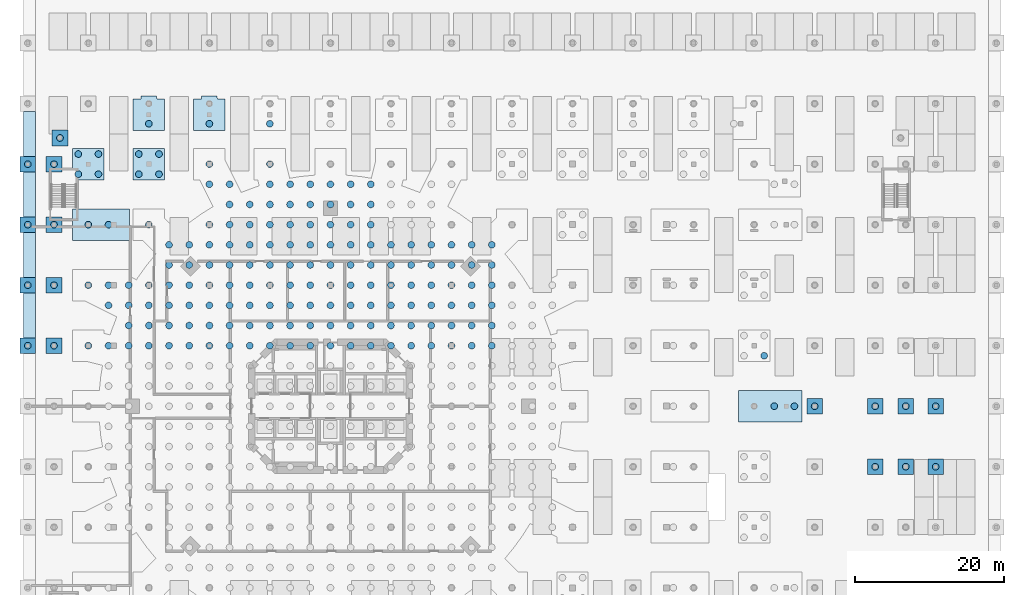
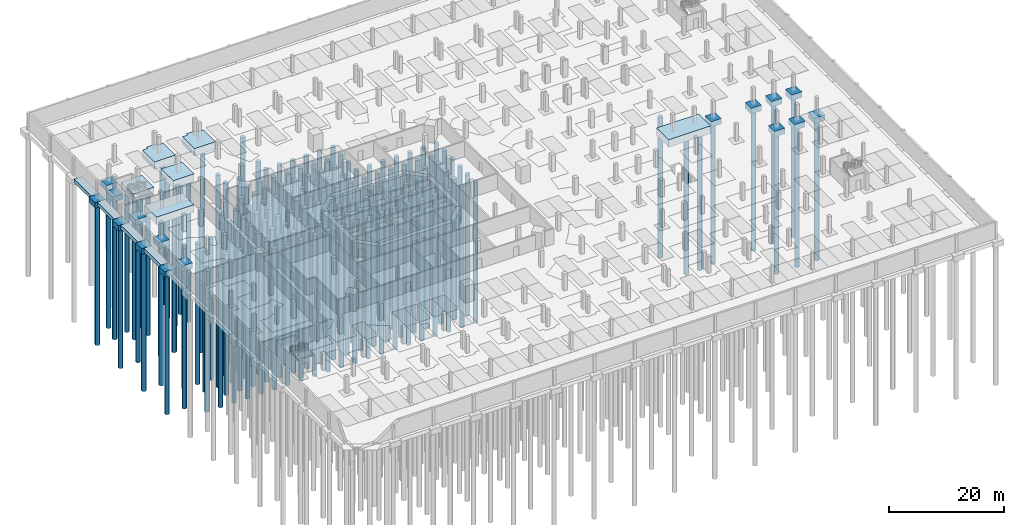
# One storey, part 5 of 23: 175 piles, 26 footings.
"""IFC4 building model written with IfcOpenShell, lengths in metres."""

from ifc_helpers import new_model, si_unit, direction, frame, origin, origin_2d, place, context, subcontext, project, spatial, polyline, rectangle, circle, outline, extrude, material, material_profile, profile_set, type_object, element, save


model = new_model("IFC4")

# Units and contexts
model_context = context("Model", 3, precision=1e-05, world=origin(), true_north=direction((0.0, 1.0)))
body_context = subcontext(model_context, "Body", "Model", "MODEL_VIEW")
ifc_project = project(units=[si_unit("LENGTHUNIT", "METRE"), si_unit("AREAUNIT", "SQUARE_METRE"), si_unit("VOLUMEUNIT", "CUBIC_METRE"), si_unit("PLANEANGLEUNIT", "RADIAN"), si_unit("MASSUNIT", "GRAM", prefix="KILO")], contexts=[model_context])

# Site, building, storey
site_placement = place(None, origin())
site = spatial("IfcSite", under=ifc_project, at=site_placement, CompositionType="ELEMENT")
building_placement = place(site_placement, origin())
building = spatial("IfcBuilding", under=site, at=building_placement, Name="Torre Triforio", CompositionType="ELEMENT")
storey_placement = place(building_placement, frame((0.0, 0.0, -10.800048828125)))
storey = spatial("IfcBuildingStorey", under=building, at=storey_placement, Name="B3", CompositionType="ELEMENT", Elevation=-10.800048828125)

# Piles
ifc_material_1 = material(Name="Concrete C35", Category="concrete")
ifc_material_profile = material_profile(ifc_material_1, circle(Radius=0.449951171875, at=origin_2d()), Name="RC D900")
ifc_profile_set = profile_set([ifc_material_profile], Name="Concrete C35")
pile_type = type_object("IfcPileType", Name="Bored pile D900 C35", PredefinedType="BORED", material=ifc_profile_set)
for number, where, z_axis, x_axis, name in (
    (1, (-32.39990234375, 8.10009765625, -3.39990234375), (0.0, 0.0, -1.0), (1.0, 0.0, 0.0), "PL.RAFT.004"),
    (2, (-32.39990234375, 16.199951171875, -3.39990234375), (0.0, 0.0, -1.0), (1.0, 0.0, 0.0), "PL.RAFT.005"),
    (3, (-29.699951171875, 8.10009765625, -3.39990234375), (0.0, 0.0, -1.0), (1.0, 0.0, 0.0), "PL.RAFT.014"),
    (4, (-29.699951171875, 13.5, -3.39990234375), (0.0, 0.0, -1.0), (1.0, 0.0, 0.0), "PL.RAFT.015"),
    (5, (-29.699951171875, 16.199951171875, -3.39990234375), (0.0, 0.0, -1.0), (1.0, 0.0, 0.0), "PL.RAFT.016"),
    (6, (-27.0, 8.10009765625, -3.39990234375), (0.0, 0.0, -1.0), (1.0, 0.0, 0.0), "PL.RAFT.026"),
    (7, (-27.0, 10.800048828125, -3.39990234375), (0.0, 0.0, -1.0), (1.0, 0.0, 0.0), "PL.RAFT.027"),
    (8, (-27.0, 13.5, -3.39990234375), (0.0, 0.0, -1.0), (1.0, 0.0, 0.0), "PL.RAFT.028"),
    (9, (-27.0, 16.199951171875, -3.39990234375), (0.0, 0.0, -1.0), (1.0, 0.0, 0.0), "PL.RAFT.029"),
    (10, (-24.300048828125, 8.10009765625, -3.39990234375), (0.0, 0.0, -1.0), (1.0, 0.0, 0.0), "PL.RAFT.040"),
    (11, (-24.300048828125, 10.800048828125, -3.39990234375), (0.0, 0.0, -1.0), (1.0, 0.0, 0.0), "PL.RAFT.041"),
    (12, (-24.300048828125, 13.5, -3.39990234375), (0.0, 0.0, -1.0), (1.0, 0.0, 0.0), "PL.RAFT.042"),
    (13, (-24.300048828125, 16.199951171875, -3.39990234375), (0.0, 0.0, -1.0), (1.0, 0.0, 0.0), "PL.RAFT.043"),
    (14, (-24.300048828125, 24.300048828125, -3.39990234375), (0.0, 0.0, -1.0), (1.0, 0.0, 0.0), "PL.RAFT.044"),
    (15, (-21.60009765625, 8.10009765625, -3.39990234375), (0.0, 0.0, -1.0), (1.0, 0.0, 0.0), "PL.RAFT.056"),
    (16, (-21.60009765625, 10.800048828125, -3.39990234375), (0.0, 0.0, -1.0), (1.0, 0.0, 0.0), "PL.RAFT.057"),
    (17, (-21.60009765625, 13.5, -3.39990234375), (0.0, 0.0, -1.0), (1.0, 0.0, 0.0), "PL.RAFT.058"),
    (18, (-21.60009765625, 16.199951171875, -3.39990234375), (0.0, 0.0, -1.0), (1.0, 0.0, 0.0), "PL.RAFT.059"),
    (19, (-21.60009765625, 18.89990234375, -3.39990234375), (0.0, 0.0, -1.0), (1.0, 0.0, 0.0), "PL.RAFT.060"),
    (20, (-21.60009765625, 21.60009765625, -3.39990234375), (0.0, 0.0, -1.0), (1.0, 0.0, 0.0), "PL.RAFT.061"),
    (21, (-18.89990234375, 8.10009765625, -3.39990234375), (0.0, 0.0, -1.0), (1.0, 0.0, 0.0), "PL.RAFT.073"),
    (22, (-18.89990234375, 10.800048828125, -3.39990234375), (0.0, 0.0, -1.0), (1.0, 0.0, 0.0), "PL.RAFT.074"),
    (23, (-18.89990234375, 13.5, -3.39990234375), (0.0, 0.0, -1.0), (1.0, 0.0, 0.0), "PL.RAFT.075"),
    (24, (-18.89990234375, 16.199951171875, -3.39990234375), (0.0, 0.0, -1.0), (1.0, 0.0, 0.0), "PL.RAFT.076"),
    (25, (-18.89990234375, 18.89990234375, -3.39990234375), (0.0, 0.0, -1.0), (1.0, 0.0, 0.0), "PL.RAFT.077"),
    (26, (-18.89990234375, 21.60009765625, -3.39990234375), (0.0, 0.0, -1.0), (1.0, 0.0, 0.0), "PL.RAFT.078"),
    (27, (-16.199951171875, 8.10009765625, -3.39990234375), (0.0, 0.0, -1.0), (1.0, 0.0, 0.0), "PL.RAFT.093"),
    (28, (-16.199951171875, 10.800048828125, -3.39990234375), (0.0, 0.0, -1.0), (1.0, 0.0, 0.0), "PL.RAFT.094"),
    (29, (-16.199951171875, 13.5, -3.39990234375), (0.0, 0.0, -1.0), (1.0, 0.0, 0.0), "PL.RAFT.095"),
    (30, (-16.199951171875, 16.199951171875, -3.39990234375), (0.0, 0.0, -1.0), (1.0, 0.0, 0.0), "PL.RAFT.096"),
    (31, (-16.199951171875, 18.89990234375, -3.39990234375), (0.0, 0.0, -1.0), (1.0, 0.0, 0.0), "PL.RAFT.097"),
    (32, (-16.199951171875, 21.60009765625, -3.39990234375), (0.0, 0.0, -1.0), (1.0, 0.0, 0.0), "PL.RAFT.098"),
    (33, (-16.199951171875, 24.300048828125, -3.39990234375), (0.0, 0.0, -1.0), (1.0, 0.0, 0.0), "PL.RAFT.099"),
    (34, (-16.199951171875, 29.699951171875, -3.39990234375), (0.0, 0.0, -1.0), (1.0, 0.0, 0.0), "PL.RAFT.100"),
    (35, (-16.199951171875, 32.39990234375, -3.39990234375), (0.0, 0.0, -1.0), (1.0, 0.0, 0.0), "PL.RAFT.101"),
    (36, (-13.5, 8.10009765625, -3.39990234375), (0.0, 0.0, -1.0), (1.0, 0.0, 0.0), "PL.RAFT.116"),
    (37, (-13.5, 10.800048828125, -3.39990234375), (0.0, 0.0, -1.0), (1.0, 0.0, 0.0), "PL.RAFT.117"),
    (38, (-13.5, 13.5, -3.39990234375), (0.0, 0.0, -1.0), (1.0, 0.0, 0.0), "PL.RAFT.118"),
    (39, (-13.5, 16.199951171875, -3.39990234375), (0.0, 0.0, -1.0), (1.0, 0.0, 0.0), "PL.RAFT.119"),
    (40, (-13.5, 18.89990234375, -3.39990234375), (0.0, 0.0, -1.0), (1.0, 0.0, 0.0), "PL.RAFT.120"),
    (41, (-13.5, 21.60009765625, -3.39990234375), (0.0, 0.0, -1.0), (1.0, 0.0, 0.0), "PL.RAFT.121"),
    (42, (-13.5, 24.300048828125, -3.39990234375), (0.0, 0.0, -1.0), (1.0, 0.0, 0.0), "PL.RAFT.122"),
    (43, (-13.5, 27.0, -3.39990234375), (0.0, 0.0, -1.0), (1.0, 0.0, 0.0), "PL.RAFT.123"),
    (44, (-13.5, 29.699951171875, -3.39990234375), (0.0, 0.0, -1.0), (1.0, 0.0, 0.0), "PL.RAFT.124"),
    (45, (-10.800048828125, 8.10009765625, -3.39990234375), (0.0, 0.0, -1.0), (1.0, 0.0, 0.0), "PL.RAFT.138"),
    (46, (-10.800048828125, 10.800048828125, -3.39990234375), (0.0, 0.0, -1.0), (1.0, 0.0, 0.0), "PL.RAFT.139"),
    (47, (-10.800048828125, 13.5, -3.39990234375), (0.0, 0.0, -1.0), (1.0, 0.0, 0.0), "PL.RAFT.140"),
    (48, (-10.800048828125, 16.199951171875, -3.39990234375), (0.0, 0.0, -1.0), (1.0, 0.0, 0.0), "PL.RAFT.141"),
    (49, (-10.800048828125, 18.89990234375, -3.39990234375), (0.0, 0.0, -1.0), (1.0, 0.0, 0.0), "PL.RAFT.142"),
    (50, (-10.800048828125, 21.60009765625, -3.39990234375), (0.0, 0.0, -1.0), (1.0, 0.0, 0.0), "PL.RAFT.143"),
    (51, (-10.800048828125, 24.300048828125, -3.39990234375), (0.0, 0.0, -1.0), (1.0, 0.0, 0.0), "PL.RAFT.144"),
    (52, (-10.800048828125, 27.0, -3.39990234375), (0.0, 0.0, -1.0), (1.0, 0.0, 0.0), "PL.RAFT.145"),
    (53, (-8.10009765625, 8.10009765625, -3.39990234375), (0.0, 0.0, -1.0), (1.0, 0.0, 0.0), "PL.RAFT.161"),
    (54, (-8.10009765625, 10.800048828125, -3.39990234375), (0.0, 0.0, -1.0), (1.0, 0.0, 0.0), "PL.RAFT.162"),
    (55, (-8.10009765625, 13.5, -3.39990234375), (0.0, 0.0, -1.0), (1.0, 0.0, 0.0), "PL.RAFT.163"),
    (56, (-8.10009765625, 16.199951171875, -3.39990234375), (0.0, 0.0, -1.0), (1.0, 0.0, 0.0), "PL.RAFT.164"),
    (57, (-8.10009765625, 18.89990234375, -3.39990234375), (0.0, 0.0, -1.0), (1.0, 0.0, 0.0), "PL.RAFT.165"),
    (58, (-8.10009765625, 21.60009765625, -3.39990234375), (0.0, 0.0, -1.0), (1.0, 0.0, 0.0), "PL.RAFT.166"),
    (59, (-8.10009765625, 24.300048828125, -3.39990234375), (0.0, 0.0, -1.0), (1.0, 0.0, 0.0), "PL.RAFT.167"),
    (60, (-8.10009765625, 27.0, -3.39990234375), (0.0, 0.0, -1.0), (1.0, 0.0, 0.0), "PL.RAFT.168"),
    (61, (-8.10009765625, 29.699951171875, -3.39990234375), (0.0, 0.0, -1.0), (1.0, 0.0, 0.0), "PL.RAFT.169"),
    (62, (-8.10009765625, 32.39990234375, -3.39990234375), (0.0, 0.0, -1.0), (1.0, 0.0, 0.0), "PL.RAFT.170"),
    (63, (-5.39990234375, 8.10009765625, -3.39990234375), (0.0, 0.0, -1.0), (1.0, 0.0, 0.0), "PL.RAFT.185"),
    (64, (-5.39990234375, 10.800048828125, -3.39990234375), (0.0, 0.0, -1.0), (1.0, 0.0, 0.0), "PL.RAFT.186"),
    (65, (-5.39990234375, 13.5, -3.39990234375), (0.0, 0.0, -1.0), (1.0, 0.0, 0.0), "PL.RAFT.187"),
    (66, (-5.39990234375, 16.199951171875, -3.39990234375), (0.0, 0.0, -1.0), (1.0, 0.0, 0.0), "PL.RAFT.188"),
    (67, (-5.39990234375, 18.89990234375, -3.39990234375), (0.0, 0.0, -1.0), (1.0, 0.0, 0.0), "PL.RAFT.189"),
    (68, (-5.39990234375, 21.60009765625, -3.39990234375), (0.0, 0.0, -1.0), (1.0, 0.0, 0.0), "PL.RAFT.190"),
    (69, (-5.39990234375, 24.300048828125, -3.39990234375), (0.0, 0.0, -1.0), (1.0, 0.0, 0.0), "PL.RAFT.191"),
    (70, (-5.39990234375, 27.0, -3.39990234375), (0.0, 0.0, -1.0), (1.0, 0.0, 0.0), "PL.RAFT.192"),
    (71, (-5.39990234375, 29.699951171875, -3.39990234375), (0.0, 0.0, -1.0), (1.0, 0.0, 0.0), "PL.RAFT.193"),
    (72, (-2.699951171875, 8.10009765625, -3.39990234375), (0.0, 0.0, -1.0), (1.0, 0.0, 0.0), "PL.RAFT.208"),
    (73, (-2.699951171875, 10.800048828125, -3.39990234375), (0.0, 0.0, -1.0), (1.0, 0.0, 0.0), "PL.RAFT.209"),
    (74, (-2.699951171875, 13.5, -3.39990234375), (0.0, 0.0, -1.0), (1.0, 0.0, 0.0), "PL.RAFT.210"),
    (75, (-2.699951171875, 16.199951171875, -3.39990234375), (0.0, 0.0, -1.0), (1.0, 0.0, 0.0), "PL.RAFT.211"),
    (76, (-2.699951171875, 18.89990234375, -3.39990234375), (0.0, 0.0, -1.0), (1.0, 0.0, 0.0), "PL.RAFT.212"),
    (77, (-2.699951171875, 21.60009765625, -3.39990234375), (0.0, 0.0, -1.0), (1.0, 0.0, 0.0), "PL.RAFT.213"),
    (78, (-2.699951171875, 24.300048828125, -3.39990234375), (0.0, 0.0, -1.0), (1.0, 0.0, 0.0), "PL.RAFT.214"),
    (79, (-2.699951171875, 27.0, -3.39990234375), (0.0, 0.0, -1.0), (1.0, 0.0, 0.0), "PL.RAFT.215"),
    (80, (-2.699951171875, 29.699951171875, -3.39990234375), (0.0, 0.0, -1.0), (1.0, 0.0, 0.0), "PL.RAFT.216"),
    (81, (0.0, 8.10009765625, -3.39990234375), (0.0, 0.0, -1.0), (1.0, 0.0, 0.0), "PL.RAFT.232"),
    (82, (0.0, 10.800048828125, -3.39990234375), (0.0, 0.0, -1.0), (1.0, 0.0, 0.0), "PL.RAFT.233"),
    (83, (0.0, 13.5, -3.39990234375), (0.0, 0.0, -1.0), (1.0, 0.0, 0.0), "PL.RAFT.234"),
    (84, (0.0, 16.199951171875, -3.39990234375), (0.0, 0.0, -1.0), (1.0, 0.0, 0.0), "PL.RAFT.235"),
    (85, (0.0, 18.89990234375, -3.39990234375), (0.0, 0.0, -1.0), (1.0, 0.0, 0.0), "PL.RAFT.236"),
    (86, (0.0, 21.60009765625, -3.39990234375), (0.0, 0.0, -1.0), (1.0, 0.0, 0.0), "PL.RAFT.237"),
    (87, (0.0, 24.300048828125, -3.39990234375), (0.0, 0.0, -1.0), (1.0, 0.0, 0.0), "PL.RAFT.238"),
    (88, (0.0, 27.0, -3.39990234375), (0.0, 0.0, -1.0), (1.0, 0.0, 0.0), "PL.RAFT.239"),
    (89, (0.0, 29.699951171875, -3.39990234375), (0.0, 0.0, -1.0), (1.0, 0.0, 0.0), "PL.RAFT.240"),
    (90, (2.699951171875, 8.10009765625, -3.39990234375), (0.0, 0.0, -1.0), (1.0, 0.0, 0.0), "PL.RAFT.256"),
    (91, (2.699951171875, 10.800048828125, -3.39990234375), (0.0, 0.0, -1.0), (1.0, 0.0, 0.0), "PL.RAFT.257"),
    (92, (2.699951171875, 13.5, -3.39990234375), (0.0, 0.0, -1.0), (1.0, 0.0, 0.0), "PL.RAFT.258"),
    (93, (2.699951171875, 16.199951171875, -3.39990234375), (0.0, 0.0, -1.0), (1.0, 0.0, 0.0), "PL.RAFT.259"),
    (94, (2.699951171875, 18.89990234375, -3.39990234375), (0.0, 0.0, -1.0), (1.0, 0.0, 0.0), "PL.RAFT.260"),
    (95, (2.699951171875, 21.60009765625, -3.39990234375), (0.0, 0.0, -1.0), (1.0, 0.0, 0.0), "PL.RAFT.261"),
    (96, (2.699951171875, 24.300048828125, -3.39990234375), (0.0, 0.0, -1.0), (1.0, 0.0, 0.0), "PL.RAFT.262"),
    (97, (2.699951171875, 27.0, -3.39990234375), (0.0, 0.0, -1.0), (1.0, 0.0, 0.0), "PL.RAFT.263"),
    (98, (2.699951171875, 29.699951171875, -3.39990234375), (0.0, 0.0, -1.0), (1.0, 0.0, 0.0), "PL.RAFT.264"),
    (99, (5.39990234375, 8.10009765625, -3.39990234375), (0.0, 0.0, -1.0), (1.0, 0.0, 0.0), "PL.RAFT.279"),
    (100, (5.39990234375, 10.800048828125, -3.39990234375), (0.0, 0.0, -1.0), (1.0, 0.0, 0.0), "PL.RAFT.280"),
    (101, (5.39990234375, 13.5, -3.39990234375), (0.0, 0.0, -1.0), (1.0, 0.0, 0.0), "PL.RAFT.281"),
    (102, (5.39990234375, 16.199951171875, -3.39990234375), (0.0, 0.0, -1.0), (1.0, 0.0, 0.0), "PL.RAFT.282"),
    (103, (5.39990234375, 18.89990234375, -3.39990234375), (0.0, 0.0, -1.0), (1.0, 0.0, 0.0), "PL.RAFT.283"),
    (104, (5.39990234375, 21.60009765625, -3.39990234375), (0.0, 0.0, -1.0), (1.0, 0.0, 0.0), "PL.RAFT.284"),
    (105, (5.39990234375, 24.300048828125, -3.39990234375), (0.0, 0.0, -1.0), (1.0, 0.0, 0.0), "PL.RAFT.285"),
    (106, (5.39990234375, 27.0, -3.39990234375), (0.0, 0.0, -1.0), (1.0, 0.0, 0.0), "PL.RAFT.286"),
    (107, (5.39990234375, 29.699951171875, -3.39990234375), (0.0, 0.0, -1.0), (1.0, 0.0, 0.0), "PL.RAFT.287"),
    (108, (8.10009765625, 8.10009765625, -3.39990234375), (0.0, 0.0, -1.0), (1.0, 0.0, 0.0), "PL.RAFT.303"),
    (109, (8.10009765625, 10.800048828125, -3.39990234375), (0.0, 0.0, -1.0), (1.0, 0.0, 0.0), "PL.RAFT.304"),
    (110, (8.10009765625, 13.5, -3.39990234375), (0.0, 0.0, -1.0), (1.0, 0.0, 0.0), "PL.RAFT.305"),
    (111, (8.10009765625, 16.199951171875, -3.39990234375), (0.0, 0.0, -1.0), (1.0, 0.0, 0.0), "PL.RAFT.306"),
    (112, (8.10009765625, 18.89990234375, -3.39990234375), (0.0, 0.0, -1.0), (1.0, 0.0, 0.0), "PL.RAFT.307"),
    (113, (8.10009765625, 21.60009765625, -3.39990234375), (0.0, 0.0, -1.0), (1.0, 0.0, 0.0), "PL.RAFT.308"),
    (114, (10.800048828125, 8.10009765625, -3.39990234375), (0.0, 0.0, -1.0), (1.0, 0.0, 0.0), "PL.RAFT.326"),
    (115, (10.800048828125, 10.800048828125, -3.39990234375), (0.0, 0.0, -1.0), (1.0, 0.0, 0.0), "PL.RAFT.327"),
    (116, (10.800048828125, 13.5, -3.39990234375), (0.0, 0.0, -1.0), (1.0, 0.0, 0.0), "PL.RAFT.328"),
    (117, (10.800048828125, 16.199951171875, -3.39990234375), (0.0, 0.0, -1.0), (1.0, 0.0, 0.0), "PL.RAFT.329"),
    (118, (10.800048828125, 18.89990234375, -3.39990234375), (0.0, 0.0, -1.0), (1.0, 0.0, 0.0), "PL.RAFT.330"),
    (119, (10.800048828125, 21.60009765625, -3.39990234375), (0.0, 0.0, -1.0), (1.0, 0.0, 0.0), "PL.RAFT.331"),
    (120, (13.5, 8.10009765625, -3.39990234375), (0.0, 0.0, -1.0), (1.0, 0.0, 0.0), "PL.RAFT.348"),
    (121, (13.5, 10.800048828125, -3.39990234375), (0.0, 0.0, -1.0), (1.0, 0.0, 0.0), "PL.RAFT.349"),
    (122, (13.5, 13.5, -3.39990234375), (0.0, 0.0, -1.0), (1.0, 0.0, 0.0), "PL.RAFT.350"),
    (123, (13.5, 16.199951171875, -3.39990234375), (0.0, 0.0, -1.0), (1.0, 0.0, 0.0), "PL.RAFT.351"),
    (124, (13.5, 18.89990234375, -3.39990234375), (0.0, 0.0, -1.0), (1.0, 0.0, 0.0), "PL.RAFT.352"),
    (125, (13.5, 21.60009765625, -3.39990234375), (0.0, 0.0, -1.0), (1.0, 0.0, 0.0), "PL.RAFT.353"),
    (126, (16.199951171875, 8.10009765625, -3.39990234375), (0.0, 0.0, -1.0), (1.0, 0.0, 0.0), "PL.RAFT.371"),
    (127, (16.199951171875, 10.800048828125, -3.39990234375), (0.0, 0.0, -1.0), (1.0, 0.0, 0.0), "PL.RAFT.372"),
    (128, (16.199951171875, 13.5, -3.39990234375), (0.0, 0.0, -1.0), (1.0, 0.0, 0.0), "PL.RAFT.373"),
    (129, (16.199951171875, 16.199951171875, -3.39990234375), (0.0, 0.0, -1.0), (1.0, 0.0, 0.0), "PL.RAFT.374"),
    (130, (16.199951171875, 18.89990234375, -3.39990234375), (0.0, 0.0, -1.0), (1.0, 0.0, 0.0), "PL.RAFT.375"),
    (131, (16.199951171875, 21.60009765625, -3.39990234375), (0.0, 0.0, -1.0), (1.0, 0.0, 0.0), "PL.RAFT.376"),
    (132, (18.89990234375, 8.10009765625, -3.39990234375), (0.0, 0.0, -1.0), (1.0, 0.0, 0.0), "PL.RAFT.391"),
    (133, (18.89990234375, 10.800048828125, -3.39990234375), (0.0, 0.0, -1.0), (1.0, 0.0, 0.0), "PL.RAFT.392"),
    (134, (18.89990234375, 13.5, -3.39990234375), (0.0, 0.0, -1.0), (1.0, 0.0, 0.0), "PL.RAFT.393"),
    (135, (18.89990234375, 16.199951171875, -3.39990234375), (0.0, 0.0, -1.0), (1.0, 0.0, 0.0), "PL.RAFT.394"),
    (136, (18.89990234375, 18.89990234375, -3.39990234375), (0.0, 0.0, -1.0), (1.0, 0.0, 0.0), "PL.RAFT.395"),
    (137, (18.89990234375, 21.60009765625, -3.39990234375), (0.0, 0.0, -1.0), (1.0, 0.0, 0.0), "PL.RAFT.396"),
    (138, (21.60009765625, 8.10009765625, -3.39990234375), (0.0, 0.0, -1.0), (1.0, 0.0, 0.0), "PL.RAFT.408"),
    (139, (21.60009765625, 10.800048828125, -3.39990234375), (0.0, 0.0, -1.0), (1.0, 0.0, 0.0), "PL.RAFT.409"),
    (140, (21.60009765625, 13.5, -3.39990234375), (0.0, 0.0, -1.0), (1.0, 0.0, 0.0), "PL.RAFT.410"),
    (141, (21.60009765625, 16.199951171875, -3.39990234375), (0.0, 0.0, -1.0), (1.0, 0.0, 0.0), "PL.RAFT.411"),
    (142, (21.60009765625, 18.89990234375, -3.39990234375), (0.0, 0.0, -1.0), (1.0, 0.0, 0.0), "PL.RAFT.412"),
    (143, (21.60009765625, 21.60009765625, -3.39990234375), (0.0, 0.0, -1.0), (1.0, 0.0, 0.0), "PL.RAFT.413"),
    (144, (72.89990234375, -8.10009765625, -1.099853515625), (0.0, 0.0, -1.0), (1.0, 0.0, 0.0), "PL.PC.094.1"),
    (145, (77.0, -8.10009765625, -1.099853515625), (0.0, 0.0, -1.0), (1.0, 0.0, 0.0), "PL.PC.095.1"),
    (146, (81.0, -8.10009765625, -1.099853515625), (0.0, 0.0, -1.0), (1.0, 0.0, 0.0), "PL.PC.096.1"),
    (147, (59.39990234375, 0.0, -1.5), (0.0, 0.0, -1.0), (1.0, 0.0, 0.0), "PL.PC.102.2"),
    (148, (62.10009765625, 0.0, -1.5), (0.0, 0.0, -1.0), (1.0, 0.0, 0.0), "PL.PC.102.3"),
    (149, (64.800048828125, 0.0, -1.099853515625), (0.0, 0.0, -1.0), (1.0, 0.0, 0.0), "PL.PC.103.1"),
    (150, (72.89990234375, 0.0, -1.099853515625), (0.0, 0.0, -1.0), (1.0, 0.0, 0.0), "PL.PC.104.1"),
    (151, (77.0, 0.0, -1.099853515625), (0.0, 0.0, -1.0), (1.0, 0.0, 0.0), "PL.PC.105.1"),
    (152, (81.0, 0.0, -1.099853515625), (0.0, 0.0, -1.0), (1.0, 0.0, 0.0), "PL.PC.106.1"),
    (153, (-40.5, 8.10009765625, -1.099853515625), (0.0, 0.0, -1.0), (1.0, 0.0, 0.0), "PL.PC.108.1"),
    (154, (-37.0, 8.10009765625, -1.099853515625), (0.0, 0.0, -1.0), (1.0, 0.0, 0.0), "PL.PC.109.1"),
    (155, (58.050048828125, 6.75, -1.5), (0.0, 0.0, -1.0), (1.0, 0.0, 0.0), "PL.PC.112.2"),
    (156, (-40.5, 16.199951171875, -1.099853515625), (0.0, 0.0, -1.0), (1.0, 0.0, 0.0), "PL.PC.118.1"),
    (157, (-37.0, 16.199951171875, -1.099853515625), (0.0, 0.0, -1.0), (1.0, 0.0, 0.0), "PL.PC.119.1"),
    (158, (-40.5, 24.300048828125, -1.099853515625), (0.0, 0.0, -1.0), (1.0, 0.0, 0.0), "PL.PC.128.1"),
    (159, (-37.0, 24.300048828125, -1.099853515625), (0.0, 0.0, -1.0), (1.0, 0.0, 0.0), "PL.PC.129.1"),
    (160, (-32.39990234375, 24.300048828125, -1.5), (0.0, 0.0, -1.0), (1.0, 0.0, 0.0), "PL.PC.130.1"),
    (161, (-29.699951171875, 24.300048828125, -1.5), (0.0, 0.0, -1.0), (1.0, 0.0, 0.0), "PL.PC.130.2"),
    (162, (-40.5, 32.39990234375, -1.099853515625), (0.0, 0.0, -1.0), (1.0, 0.0, 0.0), "PL.PC.141.1"),
    (163, (-37.0, 32.39990234375, -1.099853515625), (0.0, 0.0, -1.0), (1.0, 0.0, 0.0), "PL.PC.142.1"),
    (164, (-33.75, 31.050048828125, -1.5), (0.0, 0.0, -1.0), (1.0, 0.0, 0.0), "PL.PC.143.1"),
    (165, (-31.050048828125, 31.050048828125, -1.5), (0.0, 0.0, -1.0), (1.0, 0.0, 0.0), "PL.PC.143.2"),
    (166, (-33.75, 33.75, -1.5), (0.0, 0.0, -1.0), (1.0, 0.0, 0.0), "PL.PC.143.3"),
    (167, (-31.050048828125, 33.75, -1.5), (0.0, 0.0, -1.0), (1.0, 0.0, 0.0), "PL.PC.143.4"),
    (168, (-25.64990234375, 31.050048828125, -1.5), (0.0, 0.0, -1.0), (1.0, 0.0, 0.0), "PL.PC.144.1"),
    (169, (-22.949951171875, 31.050048828125, -1.5), (0.0, 0.0, -1.0), (1.0, 0.0, 0.0), "PL.PC.144.2"),
    (170, (-25.64990234375, 33.75, -1.5), (0.0, 0.0, -1.0), (1.0, 0.0, 0.0), "PL.PC.144.3"),
    (171, (-22.949951171875, 33.75, -1.5), (0.0, 0.0, -1.0), (1.0, 0.0, 0.0), "PL.PC.144.4"),
    (172, (-36.199951171875, 35.89990234375, -1.099853515625), (0.0, 0.0, -1.0), (1.0, 0.0, 0.0), "PL.PC.154.1"),
    (173, (-24.300048828125, 37.800048828125, -1.5), (0.0, 0.0, -1.0), (1.0, 0.0, 0.0), "PL.PC.157.1"),
    (174, (-16.199951171875, 37.800048828125, -1.5), (0.0, 0.0, -1.0), (1.0, 0.0, 0.0), "PL.PC.158.1"),
    (175, (-8.10009765625, 37.800048828125, -1.5), (0.0, 0.0, -1.0), (1.0, 0.0, 0.0), "PL.PC.159.1"),
):
    element("IfcPile", number, at=place(storey_placement, frame(where, z_axis=z_axis, x_axis=x_axis)), inside=storey, type_object=pile_type, Name=name, PredefinedType="BORED", context=body_context, shape_type="SweptSolid", body=[
        extrude(circle(Radius=0.449951171875, at=origin_2d()), origin(), (0.0, 0.0, 1.0), 30.0),
    ])

# Footings
ifc_material_2 = material(Name="Concrete C50", Category="concrete")
footing_type_1 = type_object("IfcFootingType", Name="Pile cap combined 1600 C50", PredefinedType="PILE_CAP", material=ifc_material_2)
footing_1_placement = place(storey_placement, frame((0.0, 0.0, -1.599853515625)))
element("IfcFooting", 176, at=footing_1_placement, inside=storey, type_object=footing_type_1, Name="FT.PC.102", PredefinedType="PILE_CAP", context=body_context, shape_type="SweptSolid", body=[
    extrude(outline(polyline([(54.60009765625, -2.099853515625), (54.603759765625, -2.10009765625), (58.79638671875, -2.10009765625), (58.800048828125, -2.099853515625), (58.800537109375, -2.099609375), (58.8134765625, -2.095703125), (58.827880859375, -2.0927734375), (58.842529296875, -2.09130859375), (58.857421875, -2.09130859375), (58.8720703125, -2.0927734375), (58.886474609375, -2.095703125), (58.899658203125, -2.099609375), (58.900146484375, -2.099853515625), (58.903564453125, -2.10009765625), (63.096435546875, -2.10009765625), (63.099853515625, -2.099853515625), (63.10009765625, -2.096435546875), (63.10009765625, 2.096435546875), (63.099853515625, 2.099853515625), (63.096435546875, 2.10009765625), (58.903564453125, 2.10009765625), (58.900146484375, 2.099853515625), (58.899658203125, 2.099609375), (58.886474609375, 2.095703125), (58.8720703125, 2.0927734375), (58.857421875, 2.09130859375), (58.842529296875, 2.09130859375), (58.827880859375, 2.0927734375), (58.8134765625, 2.095703125), (58.800537109375, 2.099609375), (58.800048828125, 2.099853515625), (58.79638671875, 2.10009765625), (54.603759765625, 2.10009765625), (54.60009765625, 2.099853515625), (54.60009765625, 2.096435546875), (54.60009765625, -2.096435546875), (54.60009765625, -2.099853515625)])), origin(), (0.0, 0.0, 1.0), 1.599853515625),
])
footing_2_placement = place(storey_placement, frame((0.0, 0.0, -1.599853515625)))
element("IfcFooting", 177, at=footing_2_placement, inside=storey, type_object=footing_type_1, Name="FT.PC.130", PredefinedType="PILE_CAP", context=body_context, shape_type="SweptSolid", body=[
    extrude(outline(polyline([(-34.499755859375, 22.2001953125), (-34.496337890625, 22.199951171875), (-26.903564453125, 22.199951171875), (-26.900146484375, 22.2001953125), (-26.89990234375, 22.20361328125), (-26.89990234375, 26.396240234375), (-26.900146484375, 26.39990234375), (-26.903564453125, 26.39990234375), (-34.496337890625, 26.39990234375), (-34.499755859375, 26.39990234375), (-34.5, 26.396240234375), (-34.5, 22.20361328125), (-34.499755859375, 22.2001953125)])), origin(), (0.0, 0.0, 1.0), 1.599853515625),
])
footing_3_placement = place(storey_placement, frame((0.0, 0.0, -1.599853515625)))
element("IfcFooting", 178, at=footing_3_placement, inside=storey, type_object=footing_type_1, Name="FT.PC.157", PredefinedType="PILE_CAP", context=body_context, shape_type="SweptSolid", body=[
    extrude(outline(polyline([(-26.39990234375, 36.900146484375), (-26.396240234375, 36.89990234375), (-22.20361328125, 36.89990234375), (-22.2001953125, 36.900146484375), (-22.199951171875, 36.903564453125), (-22.199951171875, 41.096435546875), (-22.2001953125, 41.099853515625), (-22.20361328125, 41.10009765625), (-23.10009765625, 41.10009765625), (-23.11474609375, 41.100830078125), (-23.129150390625, 41.102783203125), (-23.1435546875, 41.1064453125), (-23.157470703125, 41.111328125), (-23.170654296875, 41.11767578125), (-23.183349609375, 41.125244140625), (-23.195068359375, 41.134033203125), (-23.2060546875, 41.14404296875), (-23.216064453125, 41.15478515625), (-23.224609375, 41.166748046875), (-23.232177734375, 41.17919921875), (-23.238525390625, 41.192626953125), (-23.24365234375, 41.20654296875), (-23.2470703125, 41.220703125), (-23.249267578125, 41.2353515625), (-23.25, 41.25), (-23.25, 41.54638671875), (-23.250244140625, 41.5498046875), (-23.253662109375, 41.550048828125), (-25.346435546875, 41.550048828125), (-25.349853515625, 41.5498046875), (-25.35009765625, 41.54638671875), (-25.35009765625, 41.25), (-25.350830078125, 41.2353515625), (-25.352783203125, 41.220703125), (-25.3564453125, 41.20654296875), (-25.361328125, 41.192626953125), (-25.36767578125, 41.17919921875), (-25.375244140625, 41.166748046875), (-25.384033203125, 41.15478515625), (-25.39404296875, 41.14404296875), (-25.40478515625, 41.134033203125), (-25.416748046875, 41.125244140625), (-25.42919921875, 41.11767578125), (-25.442626953125, 41.111328125), (-25.45654296875, 41.1064453125), (-25.470703125, 41.102783203125), (-25.4853515625, 41.100830078125), (-25.5, 41.10009765625), (-26.396240234375, 41.10009765625), (-26.39990234375, 41.099853515625), (-26.39990234375, 41.096435546875), (-26.39990234375, 36.903564453125), (-26.39990234375, 36.900146484375)])), origin(), (0.0, 0.0, 1.0), 1.599853515625),
])
footing_4_placement = place(storey_placement, frame((0.0, 0.0, -1.599853515625)))
element("IfcFooting", 179, at=footing_4_placement, inside=storey, type_object=footing_type_1, Name="FT.PC.158", PredefinedType="PILE_CAP", context=body_context, shape_type="SweptSolid", body=[
    extrude(outline(polyline([(-18.2998046875, 36.900146484375), (-18.29638671875, 36.89990234375), (-14.103759765625, 36.89990234375), (-14.10009765625, 36.900146484375), (-14.10009765625, 36.903564453125), (-14.10009765625, 41.096435546875), (-14.10009765625, 41.099853515625), (-14.103759765625, 41.10009765625), (-15.0, 41.10009765625), (-15.0146484375, 41.100830078125), (-15.029296875, 41.102783203125), (-15.04345703125, 41.1064453125), (-15.057373046875, 41.111328125), (-15.07080078125, 41.11767578125), (-15.083251953125, 41.125244140625), (-15.09521484375, 41.134033203125), (-15.10595703125, 41.14404296875), (-15.115966796875, 41.15478515625), (-15.124755859375, 41.166748046875), (-15.13232421875, 41.17919921875), (-15.138671875, 41.192626953125), (-15.1435546875, 41.20654296875), (-15.147216796875, 41.220703125), (-15.149169921875, 41.2353515625), (-15.14990234375, 41.25), (-15.14990234375, 41.54638671875), (-15.150146484375, 41.5498046875), (-15.153564453125, 41.550048828125), (-17.246337890625, 41.550048828125), (-17.249755859375, 41.5498046875), (-17.25, 41.54638671875), (-17.25, 41.25), (-17.250732421875, 41.2353515625), (-17.2529296875, 41.220703125), (-17.25634765625, 41.20654296875), (-17.261474609375, 41.192626953125), (-17.267822265625, 41.17919921875), (-17.275390625, 41.166748046875), (-17.283935546875, 41.15478515625), (-17.2939453125, 41.14404296875), (-17.304931640625, 41.134033203125), (-17.316650390625, 41.125244140625), (-17.329345703125, 41.11767578125), (-17.342529296875, 41.111328125), (-17.3564453125, 41.1064453125), (-17.370849609375, 41.102783203125), (-17.38525390625, 41.100830078125), (-17.39990234375, 41.10009765625), (-18.29638671875, 41.10009765625), (-18.2998046875, 41.099853515625), (-18.300048828125, 41.096435546875), (-18.300048828125, 36.903564453125), (-18.2998046875, 36.900146484375)])), origin(), (0.0, 0.0, 1.0), 1.599853515625),
])
footing_type_2 = type_object("IfcFootingType", Name="Pile cap four pile 4200 1600 C50", PredefinedType="PILE_CAP", material=ifc_material_2)
for number, where, z_axis, x_axis, name in (
    (180, (-32.39990234375, 32.39990234375, -1.60009765625), (0.0, 0.0, 1.0), (1.0, 0.0, 0.0), "FT.PC.143"),
    (181, (-24.300048828125, 32.39990234375, -1.60009765625), (0.0, 0.0, 1.0), (1.0, 0.0, 0.0), "FT.PC.144"),
):
    element("IfcFooting", number, at=place(storey_placement, frame(where, z_axis=z_axis, x_axis=x_axis)), inside=storey, type_object=footing_type_2, Name=name, PredefinedType="PILE_CAP", context=body_context, shape_type="SweptSolid", body=[
        extrude(rectangle(XDim=4.199951171875, YDim=4.199951171875, at=origin_2d()), origin(), (0.0, 0.0, 1.0), 1.60009765625),
    ])
footing_type_3 = type_object("IfcFootingType", Name="Pile cap single pile 2100 1200 C50", PredefinedType="PILE_CAP", material=ifc_material_2)
for number, where, z_axis, x_axis, name in (
    (182, (72.89990234375, -8.10009765625, -1.19970703125), (0.0, 0.0, 1.0), (1.0, 0.0, 0.0), "FT.PC.094"),
    (183, (77.0, -8.10009765625, -1.19970703125), (0.0, 0.0, 1.0), (1.0, 0.0, 0.0), "FT.PC.095"),
    (184, (81.0, -8.10009765625, -1.19970703125), (0.0, 0.0, 1.0), (1.0, 0.0, 0.0), "FT.PC.096"),
    (185, (64.800048828125, 0.0, -1.19970703125), (0.0, 0.0, 1.0), (1.0, 0.0, 0.0), "FT.PC.103"),
    (186, (72.89990234375, 0.0, -1.19970703125), (0.0, 0.0, 1.0), (1.0, 0.0, 0.0), "FT.PC.104"),
    (187, (77.0, 0.0, -1.19970703125), (0.0, 0.0, 1.0), (1.0, 0.0, 0.0), "FT.PC.105"),
    (188, (81.0, 0.0, -1.19970703125), (0.0, 0.0, 1.0), (1.0, 0.0, 0.0), "FT.PC.106"),
    (189, (-40.5, 8.10009765625, -1.19970703125), (0.0, 0.0, 1.0), (1.0, 0.0, 0.0), "FT.PC.108"),
    (190, (-37.0, 8.10009765625, -1.19970703125), (0.0, 0.0, 1.0), (1.0, 0.0, 0.0), "FT.PC.109"),
    (191, (-40.5, 16.199951171875, -1.19970703125), (0.0, 0.0, 1.0), (1.0, 0.0, 0.0), "FT.PC.118"),
    (192, (-37.0, 16.199951171875, -1.19970703125), (0.0, 0.0, 1.0), (1.0, 0.0, 0.0), "FT.PC.119"),
    (193, (-40.5, 24.300048828125, -1.19970703125), (0.0, 0.0, 1.0), (1.0, 0.0, 0.0), "FT.PC.128"),
    (194, (-37.0, 24.300048828125, -1.19970703125), (0.0, 0.0, 1.0), (1.0, 0.0, 0.0), "FT.PC.129"),
    (195, (-40.5, 32.39990234375, -1.19970703125), (0.0, 0.0, 1.0), (1.0, 0.0, 0.0), "FT.PC.141"),
    (196, (-37.0, 32.39990234375, -1.19970703125), (0.0, 0.0, 1.0), (1.0, 0.0, 0.0), "FT.PC.142"),
    (197, (-36.199951171875, 35.89990234375, -1.19970703125), (0.0, 0.0, 1.0), (1.0, 0.0, 0.0), "FT.PC.154"),
):
    element("IfcFooting", number, at=place(storey_placement, frame(where, z_axis=z_axis, x_axis=x_axis)), inside=storey, type_object=footing_type_3, Name=name, PredefinedType="PILE_CAP", context=body_context, shape_type="SweptSolid", body=[
        extrude(rectangle(XDim=2.10009765625, YDim=2.10009765625, at=origin_2d()), origin(), (0.0, 0.0, 1.0), 1.199951171875),
    ])
ifc_material_3 = material(Name="Concrete C40", Category="concrete")
footing_type_4 = type_object("IfcFootingType", Name="Strip footing 1600 800 C40", PredefinedType="STRIP_FOOTING", material=ifc_material_3)
footing_5_placement = place(storey_placement, frame((0.0, 0.0, -0.800048828125)))
element("IfcFooting", 198, at=footing_5_placement, inside=storey, type_object=footing_type_4, Name="FT.STRIP.05", PredefinedType="STRIP_FOOTING", context=body_context, shape_type="SweptSolid", body=[
    extrude(outline(polyline([(-41.10009765625, 39.449951171875), (-41.10009765625, 33.449951171875), (-39.5, 33.449951171875), (-39.5, 39.449951171875), (-41.10009765625, 39.449951171875)])), origin(), (0.0, 0.0, 1.0), 0.800048828125),
])
footing_6_placement = place(storey_placement, frame((0.0, 0.0, -0.800048828125)))
element("IfcFooting", 199, at=footing_6_placement, inside=storey, type_object=footing_type_4, Name="FT.STRIP.22", PredefinedType="STRIP_FOOTING", context=body_context, shape_type="SweptSolid", body=[
    extrude(outline(polyline([(-41.10009765625, 23.25), (-41.10009765625, 17.25), (-39.5, 17.25), (-39.5, 23.25), (-41.10009765625, 23.25)])), origin(), (0.0, 0.0, 1.0), 0.800048828125),
])
footing_7_placement = place(storey_placement, frame((0.0, 0.0, -0.800048828125)))
element("IfcFooting", 200, at=footing_7_placement, inside=storey, type_object=footing_type_4, Name="FT.STRIP.42", PredefinedType="STRIP_FOOTING", context=body_context, shape_type="SweptSolid", body=[
    extrude(outline(polyline([(-41.10009765625, 15.14990234375), (-41.10009765625, 9.14990234375), (-39.5, 9.14990234375), (-39.5, 15.14990234375), (-41.10009765625, 15.14990234375)])), origin(), (0.0, 0.0, 1.0), 0.800048828125),
])
footing_8_placement = place(storey_placement, frame((0.0, 0.0, -0.800048828125)))
element("IfcFooting", 201, at=footing_8_placement, inside=storey, type_object=footing_type_4, Name="FT.STRIP.50", PredefinedType="STRIP_FOOTING", context=body_context, shape_type="SweptSolid", body=[
    extrude(outline(polyline([(-41.10009765625, 31.35009765625), (-41.10009765625, 25.35009765625), (-39.5, 25.35009765625), (-39.5, 31.35009765625), (-41.10009765625, 31.35009765625)])), origin(), (0.0, 0.0, 1.0), 0.800048828125),
])

save(model, "model.ifc")
